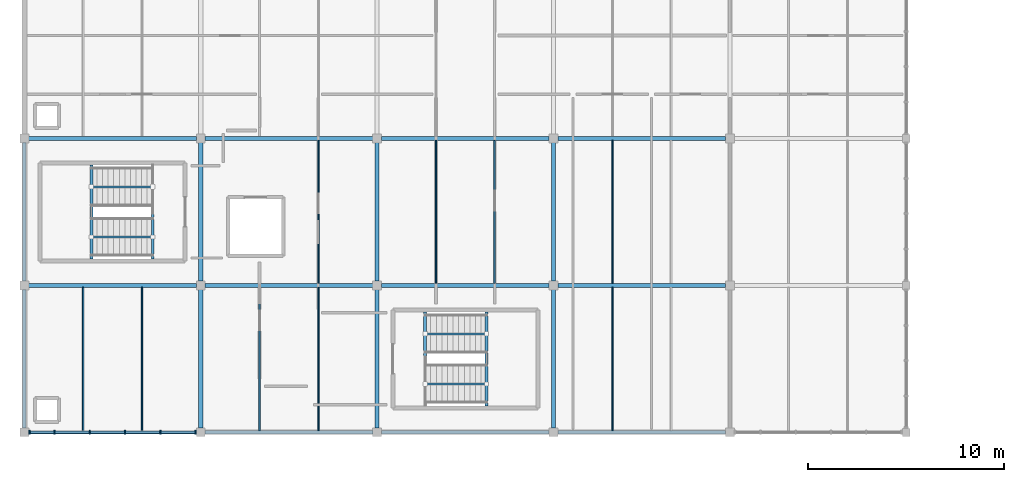
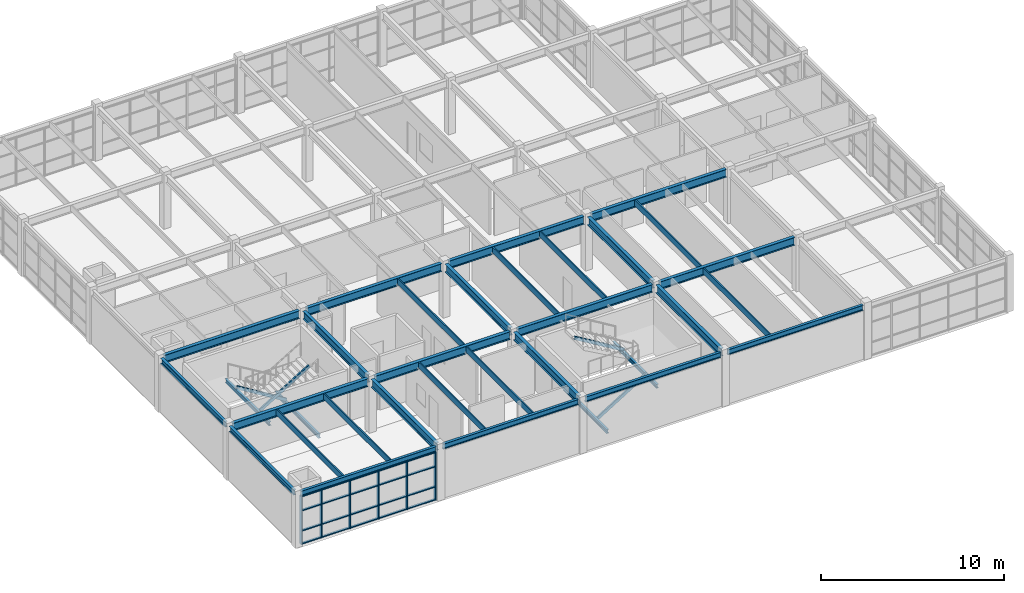
# One storey, part 3 of 81: 33 beams, 30 members, 1 element without a shape of its own.
"""IFC4 building model written with IfcOpenShell, lengths in metres."""

from ifc_helpers import new_model, si_unit, direction, frame, origin, origin_2d, place, context, subcontext, project, spatial, rectangle, hollow_rectangle, i_section, extrude, material, layer, layer_set, material_profile, profile_set, type_object, element, aggregate, save


model = new_model("IFC4")

# Units and contexts
model_context = context("Model", 3, precision=1e-05, world=origin(), true_north=direction((0.0, 1.0)))
body_context = subcontext(model_context, "Body", "Model", "MODEL_VIEW")
ifc_project = project(units=[si_unit("LENGTHUNIT", "METRE"), si_unit("AREAUNIT", "SQUARE_METRE"), si_unit("VOLUMEUNIT", "CUBIC_METRE"), si_unit("PLANEANGLEUNIT", "RADIAN"), si_unit("MASSUNIT", "GRAM", prefix="KILO")], contexts=[model_context])

# Site, building, storey
site_placement = place(None, origin())
site = spatial("IfcSite", under=ifc_project, at=site_placement, CompositionType="ELEMENT")
building_placement = place(site_placement, origin())
building = spatial("IfcBuilding", under=site, at=building_placement, Name="Marnridge Secondary College", CompositionType="ELEMENT")
storey_placement = place(building_placement, frame((0.0, 0.0, 8.5)))
storey = spatial("IfcBuildingStorey", under=building, at=storey_placement, Name="L02", CompositionType="ELEMENT", Elevation=8.5)

# Beams
ifc_material_1 = material(Name="Engineered timber LVL E13.2", Category="wood")
ifc_material_profile_1 = material_profile(ifc_material_1, rectangle(XDim=0.074951171875, YDim=0.39990234375, at=origin_2d()), Name="LVL 75x400")
ifc_profile_set_1 = profile_set([ifc_material_profile_1], Name="Engineered timber LVL E13.2")
beam_type_1 = type_object("IfcBeamType", Name="BM-LVL400-INT", PredefinedType="JOIST", material=ifc_profile_set_1)
for number, where, z_axis, x_axis, name in (
    (1, (3.0, 0.07958984375, 3.389892578125), (0.0, 1.0, 0.0), (-1.0, 0.0, 0.0), "Beam BJ-L02-0999"),
    (2, (6.0, 0.07958984375, 3.389892578125), (0.0, 1.0, 0.0), (-1.0, 0.0, 0.0), "Beam BJ-L02-1000"),
    (3, (12.0, 0.07958984375, 3.389892578125), (0.0, 1.0, 0.0), (-1.0, 0.0, 0.0), "Beam BJ-L02-1005"),
    (4, (15.0, 0.07958984375, 3.389892578125), (0.0, 1.0, 0.0), (-1.0, 0.0, 0.0), "Beam BJ-L02-1006"),
):
    element("IfcBeam", number, at=place(storey_placement, frame(where, z_axis=z_axis, x_axis=x_axis)), inside=storey, type_object=beam_type_1, Name=name, PredefinedType="JOIST", context=body_context, shape_type="SweptSolid", body=[
        extrude(rectangle(XDim=0.074951171875, YDim=0.39990234375, at=origin_2d()), origin(), (0.0, 0.0, 1.0), 7.32177734375),
    ])
for number, where, z_axis, x_axis, name in (
    (5, (15.0, 7.5986328125, 3.389892578125), (0.0, 1.0, 0.0), (-1.0, 0.0, 0.0), "Beam BJ-L02-1007"),
    (6, (21.0, 7.5986328125, 3.389892578125), (0.0, 1.0, 0.0), (-1.0, 0.0, 0.0), "Beam BJ-L02-1012"),
    (7, (24.0, 7.5986328125, 3.389892578125), (0.0, 1.0, 0.0), (-1.0, 0.0, 0.0), "Beam BJ-L02-1013"),
):
    element("IfcBeam", number, at=place(storey_placement, frame(where, z_axis=z_axis, x_axis=x_axis)), inside=storey, type_object=beam_type_1, Name=name, PredefinedType="JOIST", context=body_context, shape_type="SweptSolid", body=[
        extrude(rectangle(XDim=0.074951171875, YDim=0.39990234375, at=origin_2d()), origin(), (0.0, 0.0, 1.0), 7.302734375),
    ])
beam_1_placement = place(storey_placement, frame((30.0, 0.07958984375, 3.389892578125), z_axis=(0.0, 1.0, 0.0), x_axis=(-1.0, 0.0, 0.0)))
element("IfcBeam", 8, at=beam_1_placement, inside=storey, type_object=beam_type_1, Name="Beam BJ-L02-1018", PredefinedType="JOIST", context=body_context, shape_type="SweptSolid", body=[
    extrude(rectangle(XDim=0.074951171875, YDim=0.39990234375, at=origin_2d()), origin(), (0.0, 0.0, 1.0), 7.32177734375),
])
beam_2_placement = place(storey_placement, frame((30.0, 7.5986328125, 3.389892578125), z_axis=(0.0, 1.0, 0.0), x_axis=(-1.0, 0.0, 0.0)))
element("IfcBeam", 9, at=beam_2_placement, inside=storey, type_object=beam_type_1, Name="Beam BJ-L02-1020", PredefinedType="JOIST", context=body_context, shape_type="SweptSolid", body=[
    extrude(rectangle(XDim=0.074951171875, YDim=0.39990234375, at=origin_2d()), origin(), (0.0, 0.0, 1.0), 7.302734375),
])
ifc_material_2 = material(Name="Structural steel Grade 350 (AS/NZS 3679.1/.2, fy = 340-360 MPa)", Category="steel")
ifc_material_profile_2 = material_profile(ifc_material_2, i_section(OverallWidth=0.146240234375, OverallDepth=0.256103515625, WebThickness=0.00634765625, FlangeThickness=0.010986328125, FilletRadius=0.0087890625, at=origin_2d()), Name="250UB37.3")
ifc_profile_set_2 = profile_set([ifc_material_profile_2], Name="Structural steel Grade 350 (AS/NZS 3679.1/.2, fy = 340-360 MPa)")
beam_type_2 = type_object("IfcBeamType", Name="BM-UB250-EXT", PredefinedType="LINTEL", material=ifc_profile_set_2)
for number, where, z_axis, x_axis, name in (
    (10, (6.550048828125, 8.842041015625, -0.358154296875), (0.0, 1.0, 0.0), (-1.0, 0.0, 0.0), "Stair landing trimmer beam BT-L02-024"),
    (11, (3.4150390625, 8.842041015625, 1.572021484375), (0.0, 1.0, 0.0), (-1.0, 0.0, 0.0), "Stair landing trimmer beam BT-L02-025"),
    (12, (20.449951171875, 1.342041015625, -0.358154296875), (0.0, 1.0, 0.0), (-1.0, 0.0, 0.0), "Stair landing trimmer beam BT-L02-032"),
    (13, (23.5849609375, 1.342041015625, 1.572021484375), (0.0, 1.0, 0.0), (-1.0, 0.0, 0.0), "Stair landing trimmer beam BT-L02-033"),
):
    element("IfcBeam", number, at=place(storey_placement, frame(where, z_axis=z_axis, x_axis=x_axis)), inside=storey, type_object=beam_type_2, Name=name, PredefinedType="LINTEL", context=body_context, shape_type="SweptSolid", body=[
        extrude(i_section(OverallWidth=0.146240234375, OverallDepth=0.256103515625, WebThickness=0.00634765625, FlangeThickness=0.010986328125, FilletRadius=0.0087890625, at=origin_2d()), origin(), (0.0, 0.0, 1.0), 4.802978515625),
    ])
ifc_material_3 = material(Name="Structural steel Grade 350 (AS/NZS 3679.1/.2, fy = 340-360 MPa)", Category="steel")
ifc_material_profile_3 = material_profile(ifc_material_3, i_section(OverallWidth=0.1708984375, OverallDepth=0.35205078125, WebThickness=0.0068359375, FlangeThickness=0.009765625, FilletRadius=0.011474609375, at=origin_2d()), Name="360UB44.7")
ifc_profile_set_3 = profile_set([ifc_material_profile_3], Name="Structural steel Grade 350 (AS/NZS 3679.1/.2, fy = 340-360 MPa)")
beam_type_3 = type_object("IfcBeamType", Name="BM-UB360-EXT", PredefinedType="SPANDREL", material=ifc_profile_set_3)
beam_3_placement = place(storey_placement, frame((0.218994140625, 0.0, 3.4140625), z_axis=(1.0, 0.0, 0.0), x_axis=(0.0, 1.0, 0.0)))
element("IfcBeam", 14, at=beam_3_placement, inside=storey, type_object=beam_type_3, Name="Beam BS-L02-0941", PredefinedType="SPANDREL", context=body_context, shape_type="SweptSolid", body=[
    extrude(i_section(OverallWidth=0.1708984375, OverallDepth=0.35205078125, WebThickness=0.0068359375, FlangeThickness=0.009765625, FilletRadius=0.011474609375, at=origin_2d()), origin(), (0.0, 0.0, 1.0), 8.56201171875),
])
for number, where, z_axis, x_axis, name in (
    (15, (0.0, 0.218994140625, 3.4140625), (0.0, 1.0, 0.0), (-1.0, 0.0, 0.0), "Beam BS-L02-0943"),
    (16, (0.0, 7.718994140625, 3.4140625), (0.0, 1.0, 0.0), (-1.0, 0.0, 0.0), "Beam BS-L02-0946"),
):
    element("IfcBeam", number, at=place(storey_placement, frame(where, z_axis=z_axis, x_axis=x_axis)), inside=storey, type_object=beam_type_3, Name=name, PredefinedType="SPANDREL", context=body_context, shape_type="SweptSolid", body=[
        extrude(i_section(OverallWidth=0.1708984375, OverallDepth=0.35205078125, WebThickness=0.0068359375, FlangeThickness=0.009765625, FilletRadius=0.011474609375, at=origin_2d()), origin(), (0.0, 0.0, 1.0), 7.06201171875),
    ])
for number, where, z_axis, x_axis, name in (
    (17, (9.218994140625, 0.0, 3.4140625), (1.0, 0.0, 0.0), (0.0, 1.0, 0.0), "Beam BS-L02-0954"),
    (18, (18.218994140625, 0.0, 3.4140625), (1.0, 0.0, 0.0), (0.0, 1.0, 0.0), "Beam BS-L02-0963"),
    (19, (27.218994140625, 0.0, 3.4140625), (1.0, 0.0, 0.0), (0.0, 1.0, 0.0), "Beam BS-L02-0972"),
):
    element("IfcBeam", number, at=place(storey_placement, frame(where, z_axis=z_axis, x_axis=x_axis)), inside=storey, type_object=beam_type_3, Name=name, PredefinedType="SPANDREL", context=body_context, shape_type="SweptSolid", body=[
        extrude(i_section(OverallWidth=0.1708984375, OverallDepth=0.35205078125, WebThickness=0.0068359375, FlangeThickness=0.009765625, FilletRadius=0.011474609375, at=origin_2d()), origin(), (0.0, 0.0, 1.0), 8.56201171875),
    ])
ifc_material_4 = material(Name="Structural steel Grade 350 (AS/NZS 3679.1/.2, fy = 340-360 MPa)", Category="steel")
ifc_material_profile_4 = material_profile(ifc_material_4, i_section(OverallWidth=0.209228515625, OverallDepth=0.532958984375, WebThickness=0.01025390625, FlangeThickness=0.015625, FilletRadius=0.013916015625, at=origin_2d()), Name="530UB92.4")
ifc_profile_set_4 = profile_set([ifc_material_profile_4], Name="Structural steel Grade 350 (AS/NZS 3679.1/.2, fy = 340-360 MPa)")
beam_type_4 = type_object("IfcBeamType", Name="BM-UB530A-INT", PredefinedType="BEAM", material=ifc_profile_set_4)
beam_4_placement = place(storey_placement, frame((0.218994140625, 7.5, 3.323486328125), z_axis=(1.0, 0.0, 0.0), x_axis=(0.0, 1.0, 0.0)))
element("IfcBeam", 20, at=beam_4_placement, inside=storey, type_object=beam_type_4, Name="Beam B-L02-0942", PredefinedType="BEAM", context=body_context, shape_type="SweptSolid", body=[
    extrude(i_section(OverallWidth=0.209228515625, OverallDepth=0.532958984375, WebThickness=0.01025390625, FlangeThickness=0.015625, FilletRadius=0.013916015625, at=origin_2d()), origin(), (0.0, 0.0, 1.0), 8.56201171875),
])
beam_5_placement = place(storey_placement, frame((9.0, 0.218994140625, 3.323486328125), z_axis=(0.0, 1.0, 0.0), x_axis=(-1.0, 0.0, 0.0)))
element("IfcBeam", 21, at=beam_5_placement, inside=storey, type_object=beam_type_4, Name="Beam B-L02-0944", PredefinedType="BEAM", context=body_context, shape_type="SweptSolid", body=[
    extrude(i_section(OverallWidth=0.209228515625, OverallDepth=0.532958984375, WebThickness=0.01025390625, FlangeThickness=0.015625, FilletRadius=0.013916015625, at=origin_2d()), origin(), (0.0, 0.0, 1.0), 7.06201171875),
])
beam_6_placement = place(storey_placement, frame((0.218994140625, 15.0, 3.323486328125), z_axis=(1.0, 0.0, 0.0), x_axis=(0.0, 1.0, 0.0)))
element("IfcBeam", 22, at=beam_6_placement, inside=storey, type_object=beam_type_4, Name="Beam B-L02-0945", PredefinedType="BEAM", context=body_context, shape_type="SweptSolid", body=[
    extrude(i_section(OverallWidth=0.209228515625, OverallDepth=0.532958984375, WebThickness=0.01025390625, FlangeThickness=0.015625, FilletRadius=0.013916015625, at=origin_2d()), origin(), (0.0, 0.0, 1.0), 8.56201171875),
])
beam_7_placement = place(storey_placement, frame((9.0, 7.718994140625, 3.323486328125), z_axis=(0.0, 1.0, 0.0), x_axis=(-1.0, 0.0, 0.0)))
element("IfcBeam", 23, at=beam_7_placement, inside=storey, type_object=beam_type_4, Name="Beam B-L02-0947", PredefinedType="BEAM", context=body_context, shape_type="SweptSolid", body=[
    extrude(i_section(OverallWidth=0.209228515625, OverallDepth=0.532958984375, WebThickness=0.01025390625, FlangeThickness=0.015625, FilletRadius=0.013916015625, at=origin_2d()), origin(), (0.0, 0.0, 1.0), 7.06201171875),
])
beam_8_placement = place(storey_placement, frame((9.218994140625, 7.5, 3.323486328125), z_axis=(1.0, 0.0, 0.0), x_axis=(0.0, 1.0, 0.0)))
element("IfcBeam", 24, at=beam_8_placement, inside=storey, type_object=beam_type_4, Name="Beam B-L02-0955", PredefinedType="BEAM", context=body_context, shape_type="SweptSolid", body=[
    extrude(i_section(OverallWidth=0.209228515625, OverallDepth=0.532958984375, WebThickness=0.01025390625, FlangeThickness=0.015625, FilletRadius=0.013916015625, at=origin_2d()), origin(), (0.0, 0.0, 1.0), 8.56201171875),
])
beam_9_placement = place(storey_placement, frame((18.0, 0.218994140625, 3.323486328125), z_axis=(0.0, 1.0, 0.0), x_axis=(-1.0, 0.0, 0.0)))
element("IfcBeam", 25, at=beam_9_placement, inside=storey, type_object=beam_type_4, Name="Beam B-L02-0956", PredefinedType="BEAM", context=body_context, shape_type="SweptSolid", body=[
    extrude(i_section(OverallWidth=0.209228515625, OverallDepth=0.532958984375, WebThickness=0.01025390625, FlangeThickness=0.015625, FilletRadius=0.013916015625, at=origin_2d()), origin(), (0.0, 0.0, 1.0), 7.06201171875),
])
beam_10_placement = place(storey_placement, frame((9.218994140625, 15.0, 3.323486328125), z_axis=(1.0, 0.0, 0.0), x_axis=(0.0, 1.0, 0.0)))
element("IfcBeam", 26, at=beam_10_placement, inside=storey, type_object=beam_type_4, Name="Beam B-L02-0957", PredefinedType="BEAM", context=body_context, shape_type="SweptSolid", body=[
    extrude(i_section(OverallWidth=0.209228515625, OverallDepth=0.532958984375, WebThickness=0.01025390625, FlangeThickness=0.015625, FilletRadius=0.013916015625, at=origin_2d()), origin(), (0.0, 0.0, 1.0), 8.56201171875),
])
beam_11_placement = place(storey_placement, frame((18.0, 7.718994140625, 3.323486328125), z_axis=(0.0, 1.0, 0.0), x_axis=(-1.0, 0.0, 0.0)))
element("IfcBeam", 27, at=beam_11_placement, inside=storey, type_object=beam_type_4, Name="Beam B-L02-0958", PredefinedType="BEAM", context=body_context, shape_type="SweptSolid", body=[
    extrude(i_section(OverallWidth=0.209228515625, OverallDepth=0.532958984375, WebThickness=0.01025390625, FlangeThickness=0.015625, FilletRadius=0.013916015625, at=origin_2d()), origin(), (0.0, 0.0, 1.0), 7.06201171875),
])
beam_12_placement = place(storey_placement, frame((18.218994140625, 7.5, 3.323486328125), z_axis=(1.0, 0.0, 0.0), x_axis=(0.0, 1.0, 0.0)))
element("IfcBeam", 28, at=beam_12_placement, inside=storey, type_object=beam_type_4, Name="Beam B-L02-0964", PredefinedType="BEAM", context=body_context, shape_type="SweptSolid", body=[
    extrude(i_section(OverallWidth=0.209228515625, OverallDepth=0.532958984375, WebThickness=0.01025390625, FlangeThickness=0.015625, FilletRadius=0.013916015625, at=origin_2d()), origin(), (0.0, 0.0, 1.0), 8.56201171875),
])
beam_13_placement = place(storey_placement, frame((27.0, 0.218994140625, 3.323486328125), z_axis=(0.0, 1.0, 0.0), x_axis=(-1.0, 0.0, 0.0)))
element("IfcBeam", 29, at=beam_13_placement, inside=storey, type_object=beam_type_4, Name="Beam B-L02-0965", PredefinedType="BEAM", context=body_context, shape_type="SweptSolid", body=[
    extrude(i_section(OverallWidth=0.209228515625, OverallDepth=0.532958984375, WebThickness=0.01025390625, FlangeThickness=0.015625, FilletRadius=0.013916015625, at=origin_2d()), origin(), (0.0, 0.0, 1.0), 7.06201171875),
])
beam_14_placement = place(storey_placement, frame((18.218994140625, 15.0, 3.323486328125), z_axis=(1.0, 0.0, 0.0), x_axis=(0.0, 1.0, 0.0)))
element("IfcBeam", 30, at=beam_14_placement, inside=storey, type_object=beam_type_4, Name="Beam B-L02-0966", PredefinedType="BEAM", context=body_context, shape_type="SweptSolid", body=[
    extrude(i_section(OverallWidth=0.209228515625, OverallDepth=0.532958984375, WebThickness=0.01025390625, FlangeThickness=0.015625, FilletRadius=0.013916015625, at=origin_2d()), origin(), (0.0, 0.0, 1.0), 8.56201171875),
])
beam_15_placement = place(storey_placement, frame((27.0, 7.718994140625, 3.323486328125), z_axis=(0.0, 1.0, 0.0), x_axis=(-1.0, 0.0, 0.0)))
element("IfcBeam", 31, at=beam_15_placement, inside=storey, type_object=beam_type_4, Name="Beam B-L02-0967", PredefinedType="BEAM", context=body_context, shape_type="SweptSolid", body=[
    extrude(i_section(OverallWidth=0.209228515625, OverallDepth=0.532958984375, WebThickness=0.01025390625, FlangeThickness=0.015625, FilletRadius=0.013916015625, at=origin_2d()), origin(), (0.0, 0.0, 1.0), 7.06201171875),
])
for number, where, z_axis, x_axis, name in (
    (32, (27.218994140625, 7.5, 3.323486328125), (1.0, 0.0, 0.0), (0.0, 1.0, 0.0), "Beam B-L02-0973"),
    (33, (27.218994140625, 15.0, 3.323486328125), (1.0, 0.0, 0.0), (0.0, 1.0, 0.0), "Beam B-L02-0975"),
):
    element("IfcBeam", number, at=place(storey_placement, frame(where, z_axis=z_axis, x_axis=x_axis)), inside=storey, type_object=beam_type_4, Name=name, PredefinedType="BEAM", context=body_context, shape_type="SweptSolid", body=[
        extrude(i_section(OverallWidth=0.209228515625, OverallDepth=0.532958984375, WebThickness=0.01025390625, FlangeThickness=0.015625, FilletRadius=0.013916015625, at=origin_2d()), origin(), (0.0, 0.0, 1.0), 8.56201171875),
    ])

# Curtain wall, members
ifc_material_5 = material(Name="Bronze-anodised aluminium and solar-control glazing", Category="aluminium")
ifc_layer = layer(ifc_material_5, 0.199951171875)
ifc_layer_set = layer_set([ifc_layer], Name="CW-MOD-1800")
curtain_wall_type = type_object("IfcCurtainWallType", Name="CW-MOD-1800", PredefinedType="NOTDEFINED", material=ifc_layer_set)
curtain_wall_placement = place(storey_placement, origin())
curtain_wall = element("IfcCurtainWall", 34, at=curtain_wall_placement, inside=storey, type_object=curtain_wall_type, Name="Unitised curtain wall CW-L02-111", PredefinedType="NOTDEFINED")
ifc_material_6 = material(Name="Bronze-anodised aluminium 6063-T6", Category="aluminium")
ifc_material_profile_5 = material_profile(ifc_material_6, rectangle(XDim=0.070068359375, YDim=0.199951171875, at=origin_2d()), Name="ALU 70x200")
ifc_profile_set_5 = profile_set([ifc_material_profile_5], Name="Bronze-anodised aluminium 6063-T6")
member_type_1 = type_object("IfcMemberType", Name="CWM-ALU200", PredefinedType="MULLION", material=ifc_profile_set_5)
member_1_placement = place(storey_placement, frame((8.736083984375, 0.0, 0.0), z_axis=(0.0, 0.0, 1.0), x_axis=(-1.0, 0.0, 0.0)))
member_1 = element("IfcMember", 35, at=member_1_placement, type_object=member_type_1, Name="CW-L02-111 mullion 1", PredefinedType="MULLION", context=body_context, shape_type="SweptSolid", body=[
    extrude(rectangle(XDim=0.070068359375, YDim=0.199951171875, at=origin_2d()), origin(), (0.0, 0.0, 1.0), 3.22998046875),
])
member_2_placement = place(storey_placement, frame((6.93603515625, 0.0, 0.0), z_axis=(0.0, 0.0, 1.0), x_axis=(-1.0, 0.0, 0.0)))
member_2 = element("IfcMember", 36, at=member_2_placement, type_object=member_type_1, Name="CW-L02-111 mullion 2", PredefinedType="MULLION", context=body_context, shape_type="SweptSolid", body=[
    extrude(rectangle(XDim=0.070068359375, YDim=0.199951171875, at=origin_2d()), origin(), (0.0, 0.0, 1.0), 3.22998046875),
])
member_3_placement = place(storey_placement, frame((5.135986328125, 0.0, 0.0), z_axis=(0.0, 0.0, 1.0), x_axis=(-1.0, 0.0, 0.0)))
member_3 = element("IfcMember", 37, at=member_3_placement, type_object=member_type_1, Name="CW-L02-111 mullion 3", PredefinedType="MULLION", context=body_context, shape_type="SweptSolid", body=[
    extrude(rectangle(XDim=0.070068359375, YDim=0.199951171875, at=origin_2d()), origin(), (0.0, 0.0, 1.0), 3.22998046875),
])
member_4_placement = place(storey_placement, frame((3.3359375, 0.0, 0.0), z_axis=(0.0, 0.0, 1.0), x_axis=(-1.0, 0.0, 0.0)))
member_4 = element("IfcMember", 38, at=member_4_placement, type_object=member_type_1, Name="CW-L02-111 mullion 4", PredefinedType="MULLION", context=body_context, shape_type="SweptSolid", body=[
    extrude(rectangle(XDim=0.070068359375, YDim=0.199951171875, at=origin_2d()), origin(), (0.0, 0.0, 1.0), 3.22998046875),
])
member_5_placement = place(storey_placement, frame((1.535888671875, 0.0, 0.0), z_axis=(0.0, 0.0, 1.0), x_axis=(-1.0, 0.0, 0.0)))
member_5 = element("IfcMember", 39, at=member_5_placement, type_object=member_type_1, Name="CW-L02-111 mullion 5", PredefinedType="MULLION", context=body_context, shape_type="SweptSolid", body=[
    extrude(rectangle(XDim=0.070068359375, YDim=0.199951171875, at=origin_2d()), origin(), (0.0, 0.0, 1.0), 3.22998046875),
])
member_6_placement = place(storey_placement, frame((0.263916015625, 0.0, 0.0), z_axis=(0.0, 0.0, 1.0), x_axis=(-1.0, 0.0, 0.0)))
member_6 = element("IfcMember", 40, at=member_6_placement, type_object=member_type_1, Name="CW-L02-111 mullion 6", PredefinedType="MULLION", context=body_context, shape_type="SweptSolid", body=[
    extrude(rectangle(XDim=0.070068359375, YDim=0.199951171875, at=origin_2d()), origin(), (0.0, 0.0, 1.0), 3.22998046875),
])
ifc_material_7 = material(Name="Anodised aluminium 6063-T6", Category="aluminium")
ifc_material_profile_6 = material_profile(ifc_material_7, rectangle(XDim=0.06494140625, YDim=0.139892578125, at=origin_2d()), Name="ALU 65x140")
ifc_profile_set_6 = profile_set([ifc_material_profile_6], Name="Anodised aluminium 6063-T6")
member_type_2 = type_object("IfcMemberType", Name="CWT-ALU140", PredefinedType="USERDEFINED", material=ifc_profile_set_6)
member_7_placement = place(storey_placement, frame((8.700927734375, 0.0, 0.032470703125), z_axis=(-1.0, 0.0, 0.0), x_axis=(0.0, 0.0, 1.0)))
member_7 = element("IfcMember", 41, at=member_7_placement, type_object=member_type_2, Name="CW-L02-111 transom 1.1", ObjectType="TRANSOM", PredefinedType="USERDEFINED", context=body_context, shape_type="SweptSolid", body=[
    extrude(rectangle(XDim=0.06494140625, YDim=0.139892578125, at=origin_2d()), origin(), (0.0, 0.0, 1.0), 1.72998046875),
])
member_8_placement = place(storey_placement, frame((8.700927734375, 0.0, 0.89990234375), z_axis=(-1.0, 0.0, 0.0), x_axis=(0.0, 0.0, 1.0)))
member_8 = element("IfcMember", 42, at=member_8_placement, type_object=member_type_2, Name="CW-L02-111 transom 1.2", ObjectType="TRANSOM", PredefinedType="USERDEFINED", context=body_context, shape_type="SweptSolid", body=[
    extrude(rectangle(XDim=0.06494140625, YDim=0.139892578125, at=origin_2d()), origin(), (0.0, 0.0, 1.0), 1.72998046875),
])
member_9_placement = place(storey_placement, frame((8.700927734375, 0.0, 2.25), z_axis=(-1.0, 0.0, 0.0), x_axis=(0.0, 0.0, 1.0)))
member_9 = element("IfcMember", 43, at=member_9_placement, type_object=member_type_2, Name="CW-L02-111 transom 1.3", ObjectType="TRANSOM", PredefinedType="USERDEFINED", context=body_context, shape_type="SweptSolid", body=[
    extrude(rectangle(XDim=0.06494140625, YDim=0.139892578125, at=origin_2d()), origin(), (0.0, 0.0, 1.0), 1.72998046875),
])
member_10_placement = place(storey_placement, frame((8.700927734375, 0.0, 3.197509765625), z_axis=(-1.0, 0.0, 0.0), x_axis=(0.0, 0.0, 1.0)))
member_10 = element("IfcMember", 44, at=member_10_placement, type_object=member_type_2, Name="CW-L02-111 transom 1.4", ObjectType="TRANSOM", PredefinedType="USERDEFINED", context=body_context, shape_type="SweptSolid", body=[
    extrude(rectangle(XDim=0.06494140625, YDim=0.139892578125, at=origin_2d()), origin(), (0.0, 0.0, 1.0), 1.72998046875),
])
member_11_placement = place(storey_placement, frame((6.90087890625, 0.0, 0.032470703125), z_axis=(-1.0, 0.0, 0.0), x_axis=(0.0, 0.0, 1.0)))
member_11 = element("IfcMember", 45, at=member_11_placement, type_object=member_type_2, Name="CW-L02-111 transom 2.1", ObjectType="TRANSOM", PredefinedType="USERDEFINED", context=body_context, shape_type="SweptSolid", body=[
    extrude(rectangle(XDim=0.06494140625, YDim=0.139892578125, at=origin_2d()), origin(), (0.0, 0.0, 1.0), 1.72998046875),
])
member_12_placement = place(storey_placement, frame((6.90087890625, 0.0, 0.89990234375), z_axis=(-1.0, 0.0, 0.0), x_axis=(0.0, 0.0, 1.0)))
member_12 = element("IfcMember", 46, at=member_12_placement, type_object=member_type_2, Name="CW-L02-111 transom 2.2", ObjectType="TRANSOM", PredefinedType="USERDEFINED", context=body_context, shape_type="SweptSolid", body=[
    extrude(rectangle(XDim=0.06494140625, YDim=0.139892578125, at=origin_2d()), origin(), (0.0, 0.0, 1.0), 1.72998046875),
])
member_13_placement = place(storey_placement, frame((6.90087890625, 0.0, 2.25), z_axis=(-1.0, 0.0, 0.0), x_axis=(0.0, 0.0, 1.0)))
member_13 = element("IfcMember", 47, at=member_13_placement, type_object=member_type_2, Name="CW-L02-111 transom 2.3", ObjectType="TRANSOM", PredefinedType="USERDEFINED", context=body_context, shape_type="SweptSolid", body=[
    extrude(rectangle(XDim=0.06494140625, YDim=0.139892578125, at=origin_2d()), origin(), (0.0, 0.0, 1.0), 1.72998046875),
])
member_14_placement = place(storey_placement, frame((6.90087890625, 0.0, 3.197509765625), z_axis=(-1.0, 0.0, 0.0), x_axis=(0.0, 0.0, 1.0)))
member_14 = element("IfcMember", 48, at=member_14_placement, type_object=member_type_2, Name="CW-L02-111 transom 2.4", ObjectType="TRANSOM", PredefinedType="USERDEFINED", context=body_context, shape_type="SweptSolid", body=[
    extrude(rectangle(XDim=0.06494140625, YDim=0.139892578125, at=origin_2d()), origin(), (0.0, 0.0, 1.0), 1.72998046875),
])
member_15_placement = place(storey_placement, frame((5.10107421875, 0.0, 0.032470703125), z_axis=(-1.0, 0.0, 0.0), x_axis=(0.0, 0.0, 1.0)))
member_15 = element("IfcMember", 49, at=member_15_placement, type_object=member_type_2, Name="CW-L02-111 transom 3.1", ObjectType="TRANSOM", PredefinedType="USERDEFINED", context=body_context, shape_type="SweptSolid", body=[
    extrude(rectangle(XDim=0.06494140625, YDim=0.139892578125, at=origin_2d()), origin(), (0.0, 0.0, 1.0), 1.72998046875),
])
member_16_placement = place(storey_placement, frame((5.10107421875, 0.0, 0.89990234375), z_axis=(-1.0, 0.0, 0.0), x_axis=(0.0, 0.0, 1.0)))
member_16 = element("IfcMember", 50, at=member_16_placement, type_object=member_type_2, Name="CW-L02-111 transom 3.2", ObjectType="TRANSOM", PredefinedType="USERDEFINED", context=body_context, shape_type="SweptSolid", body=[
    extrude(rectangle(XDim=0.06494140625, YDim=0.139892578125, at=origin_2d()), origin(), (0.0, 0.0, 1.0), 1.72998046875),
])
member_17_placement = place(storey_placement, frame((5.10107421875, 0.0, 2.25), z_axis=(-1.0, 0.0, 0.0), x_axis=(0.0, 0.0, 1.0)))
member_17 = element("IfcMember", 51, at=member_17_placement, type_object=member_type_2, Name="CW-L02-111 transom 3.3", ObjectType="TRANSOM", PredefinedType="USERDEFINED", context=body_context, shape_type="SweptSolid", body=[
    extrude(rectangle(XDim=0.06494140625, YDim=0.139892578125, at=origin_2d()), origin(), (0.0, 0.0, 1.0), 1.72998046875),
])
member_18_placement = place(storey_placement, frame((5.10107421875, 0.0, 3.197509765625), z_axis=(-1.0, 0.0, 0.0), x_axis=(0.0, 0.0, 1.0)))
member_18 = element("IfcMember", 52, at=member_18_placement, type_object=member_type_2, Name="CW-L02-111 transom 3.4", ObjectType="TRANSOM", PredefinedType="USERDEFINED", context=body_context, shape_type="SweptSolid", body=[
    extrude(rectangle(XDim=0.06494140625, YDim=0.139892578125, at=origin_2d()), origin(), (0.0, 0.0, 1.0), 1.72998046875),
])
member_19_placement = place(storey_placement, frame((3.301025390625, 0.0, 0.032470703125), z_axis=(-1.0, 0.0, 0.0), x_axis=(0.0, 0.0, 1.0)))
member_19 = element("IfcMember", 53, at=member_19_placement, type_object=member_type_2, Name="CW-L02-111 transom 4.1", ObjectType="TRANSOM", PredefinedType="USERDEFINED", context=body_context, shape_type="SweptSolid", body=[
    extrude(rectangle(XDim=0.06494140625, YDim=0.139892578125, at=origin_2d()), origin(), (0.0, 0.0, 1.0), 1.72998046875),
])
member_20_placement = place(storey_placement, frame((3.301025390625, 0.0, 0.89990234375), z_axis=(-1.0, 0.0, 0.0), x_axis=(0.0, 0.0, 1.0)))
member_20 = element("IfcMember", 54, at=member_20_placement, type_object=member_type_2, Name="CW-L02-111 transom 4.2", ObjectType="TRANSOM", PredefinedType="USERDEFINED", context=body_context, shape_type="SweptSolid", body=[
    extrude(rectangle(XDim=0.06494140625, YDim=0.139892578125, at=origin_2d()), origin(), (0.0, 0.0, 1.0), 1.72998046875),
])
member_21_placement = place(storey_placement, frame((3.301025390625, 0.0, 2.25), z_axis=(-1.0, 0.0, 0.0), x_axis=(0.0, 0.0, 1.0)))
member_21 = element("IfcMember", 55, at=member_21_placement, type_object=member_type_2, Name="CW-L02-111 transom 4.3", ObjectType="TRANSOM", PredefinedType="USERDEFINED", context=body_context, shape_type="SweptSolid", body=[
    extrude(rectangle(XDim=0.06494140625, YDim=0.139892578125, at=origin_2d()), origin(), (0.0, 0.0, 1.0), 1.72998046875),
])
member_22_placement = place(storey_placement, frame((3.301025390625, 0.0, 3.197509765625), z_axis=(-1.0, 0.0, 0.0), x_axis=(0.0, 0.0, 1.0)))
member_22 = element("IfcMember", 56, at=member_22_placement, type_object=member_type_2, Name="CW-L02-111 transom 4.4", ObjectType="TRANSOM", PredefinedType="USERDEFINED", context=body_context, shape_type="SweptSolid", body=[
    extrude(rectangle(XDim=0.06494140625, YDim=0.139892578125, at=origin_2d()), origin(), (0.0, 0.0, 1.0), 1.72998046875),
])
member_23_placement = place(storey_placement, frame((1.5009765625, 0.0, 0.032470703125), z_axis=(-1.0, 0.0, 0.0), x_axis=(0.0, 0.0, 1.0)))
member_23 = element("IfcMember", 57, at=member_23_placement, type_object=member_type_2, Name="CW-L02-111 transom 5.1", ObjectType="TRANSOM", PredefinedType="USERDEFINED", context=body_context, shape_type="SweptSolid", body=[
    extrude(rectangle(XDim=0.06494140625, YDim=0.139892578125, at=origin_2d()), origin(), (0.0, 0.0, 1.0), 1.201904296875),
])
member_24_placement = place(storey_placement, frame((1.5009765625, 0.0, 0.89990234375), z_axis=(-1.0, 0.0, 0.0), x_axis=(0.0, 0.0, 1.0)))
member_24 = element("IfcMember", 58, at=member_24_placement, type_object=member_type_2, Name="CW-L02-111 transom 5.2", ObjectType="TRANSOM", PredefinedType="USERDEFINED", context=body_context, shape_type="SweptSolid", body=[
    extrude(rectangle(XDim=0.06494140625, YDim=0.139892578125, at=origin_2d()), origin(), (0.0, 0.0, 1.0), 1.201904296875),
])
member_25_placement = place(storey_placement, frame((1.5009765625, 0.0, 2.25), z_axis=(-1.0, 0.0, 0.0), x_axis=(0.0, 0.0, 1.0)))
member_25 = element("IfcMember", 59, at=member_25_placement, type_object=member_type_2, Name="CW-L02-111 transom 5.3", ObjectType="TRANSOM", PredefinedType="USERDEFINED", context=body_context, shape_type="SweptSolid", body=[
    extrude(rectangle(XDim=0.06494140625, YDim=0.139892578125, at=origin_2d()), origin(), (0.0, 0.0, 1.0), 1.201904296875),
])
member_26_placement = place(storey_placement, frame((1.5009765625, 0.0, 3.197509765625), z_axis=(-1.0, 0.0, 0.0), x_axis=(0.0, 0.0, 1.0)))
member_26 = element("IfcMember", 60, at=member_26_placement, type_object=member_type_2, Name="CW-L02-111 transom 5.4", ObjectType="TRANSOM", PredefinedType="USERDEFINED", context=body_context, shape_type="SweptSolid", body=[
    extrude(rectangle(XDim=0.06494140625, YDim=0.139892578125, at=origin_2d()), origin(), (0.0, 0.0, 1.0), 1.201904296875),
])
aggregate(curtain_wall, [member_1, member_2, member_3, member_4, member_5, member_6, member_7, member_8, member_9, member_10, member_11, member_12, member_13, member_14, member_15, member_16, member_17, member_18, member_19, member_20, member_21, member_22, member_23, member_24, member_25, member_26])

# Members
ifc_material_8 = material(Name="Cold-formed steel Grade C350L0 (AS/NZS 1163, fy = 350 MPa)", Category="steel")
ifc_material_profile_7 = material_profile(ifc_material_8, hollow_rectangle(XDim=0.10009765625, YDim=0.199951171875, WallThickness=0.006103515625, at=origin_2d()), Name="200x100x6.0RHS")
ifc_profile_set_7 = profile_set([ifc_material_profile_7], Name="Cold-formed steel Grade C350L0 (AS/NZS 1163, fy = 350 MPa)")
member_type_3 = type_object("IfcMemberType", Name="MB-STR-RHS200", PredefinedType="STRINGER", material=ifc_profile_set_7)
member_27_placement = place(storey_placement, frame((6.550048828125, 12.530029296875, -0.137939453125), z_axis=(-0.851574057746, 0.0, 0.52423432182), x_axis=(0.0, -1.0, 0.0)))
element("IfcMember", 61, at=member_27_placement, inside=storey, type_object=member_type_3, Name="Stair stringer STR-025", PredefinedType="STRINGER", context=body_context, shape_type="SweptSolid", body=[
    extrude(hollow_rectangle(XDim=0.10009765625, YDim=0.199951171875, WallThickness=0.006103515625, at=origin_2d()), origin(), (0.0, 0.0, 1.0), 3.681396484375),
])
member_28_placement = place(storey_placement, frame((3.4150390625, 9.969970703125, 1.7919921875), z_axis=(0.856420037576, 0.0, 0.516279690902), x_axis=(0.0, 1.0, 0.0)))
element("IfcMember", 62, at=member_28_placement, inside=storey, type_object=member_type_3, Name="Stair stringer STR-026", PredefinedType="STRINGER", context=body_context, shape_type="SweptSolid", body=[
    extrude(hollow_rectangle(XDim=0.10009765625, YDim=0.199951171875, WallThickness=0.006103515625, at=origin_2d()), origin(), (0.0, 0.0, 1.0), 3.66064453125),
])
member_29_placement = place(storey_placement, frame((20.449951171875, 2.469970703125, -0.137939453125), z_axis=(0.851574057746, 0.0, 0.52423432182), x_axis=(0.0, 1.0, 0.0)))
element("IfcMember", 63, at=member_29_placement, inside=storey, type_object=member_type_3, Name="Stair stringer STR-033", PredefinedType="STRINGER", context=body_context, shape_type="SweptSolid", body=[
    extrude(hollow_rectangle(XDim=0.10009765625, YDim=0.199951171875, WallThickness=0.006103515625, at=origin_2d()), origin(), (0.0, 0.0, 1.0), 3.681396484375),
])
member_30_placement = place(storey_placement, frame((23.5849609375, 5.030029296875, 1.7919921875), z_axis=(-0.856420037576, 0.0, 0.516279690902), x_axis=(0.0, -1.0, 0.0)))
element("IfcMember", 64, at=member_30_placement, inside=storey, type_object=member_type_3, Name="Stair stringer STR-034", PredefinedType="STRINGER", context=body_context, shape_type="SweptSolid", body=[
    extrude(hollow_rectangle(XDim=0.10009765625, YDim=0.199951171875, WallThickness=0.006103515625, at=origin_2d()), origin(), (0.0, 0.0, 1.0), 3.66064453125),
])

save(model, "model.ifc")
